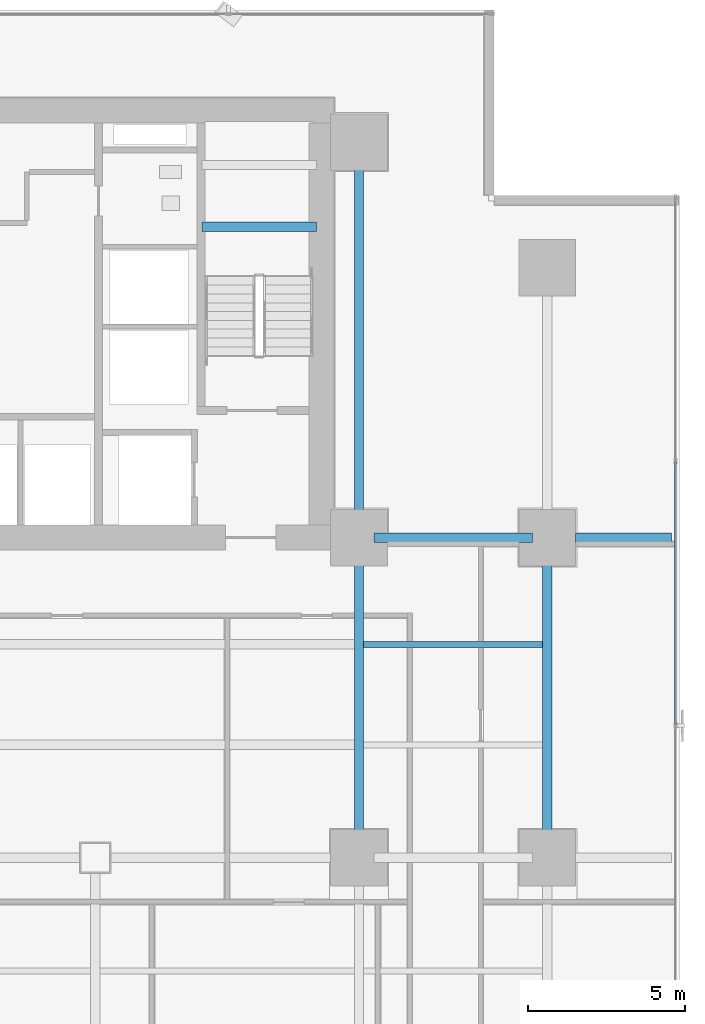
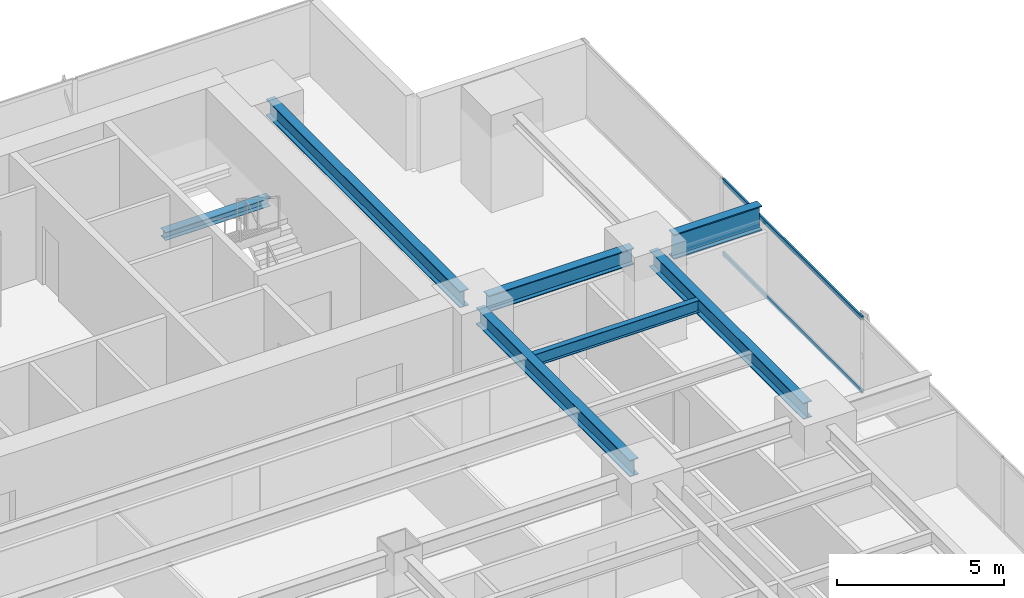
# One storey, part 19 of 32: 7 beams, 2 members, 1 element without a shape of its own.
"""IFC4 building model written with IfcOpenShell, lengths in metres."""

from ifc_helpers import new_model, si_unit, direction, frame, origin, origin_2d, place, context, subcontext, project, spatial, hollow_rectangle, i_section, extrude, source, transform, mapped, material, layer, layer_set, material_profile, profile_set, type_object, element, aggregate, save


model = new_model("IFC4")

# Units and contexts
model_context = context("Model", 3, precision=1e-05, world=origin(), true_north=direction((0.0, 1.0)))
body_context = subcontext(model_context, "Body", "Model", "MODEL_VIEW")
ifc_project = project(units=[si_unit("LENGTHUNIT", "METRE"), si_unit("AREAUNIT", "SQUARE_METRE"), si_unit("VOLUMEUNIT", "CUBIC_METRE"), si_unit("PLANEANGLEUNIT", "RADIAN"), si_unit("MASSUNIT", "GRAM", prefix="KILO")], contexts=[model_context])

# Site, building, storey
site_placement = place(None, origin())
site = spatial("IfcSite", under=ifc_project, at=site_placement, CompositionType="ELEMENT")
building_placement = place(site_placement, origin())
building = spatial("IfcBuilding", under=site, at=building_placement, Name="Sumidabori Civic Tower", CompositionType="ELEMENT")
storey_placement = place(building_placement, frame((0.0, 0.0, 45.199951171875)))
storey = spatial("IfcBuildingStorey", under=building, at=storey_placement, Name="L11", CompositionType="ELEMENT", Elevation=45.199951171875)

# Beams
ifc_material_1 = material(Name="Steel SN490", Category="steel")
ifc_material_profile_1 = material_profile(ifc_material_1, i_section(OverallWidth=0.300048828125, OverallDepth=0.300048828125, WebThickness=0.010986328125, FlangeThickness=0.01904296875, at=origin_2d()), Name="HE 300 B")
ifc_profile_set_1 = profile_set([ifc_material_profile_1], Name="Steel SN490")
beam_type_1 = type_object("IfcBeamType", Name="BM-LDG-300", PredefinedType="BEAM", material=ifc_profile_set_1)
shared_shape_1 = source(origin(), body_context, "Body", "SweptSolid", [
    extrude(i_section(OverallWidth=0.300048828125, OverallDepth=0.300048828125, WebThickness=0.010986328125, FlangeThickness=0.01904296875, at=origin_2d()), origin(), (0.0, 0.0, 1.0), 3.64990234375),
])
beam_1_placement = place(storey_placement, frame((11.800048828125, 20.09765625, 1.449951171875), z_axis=(1.0, 0.0, 0.0), x_axis=(0.0, 1.0, 0.0)))
element("IfcBeam", 1, at=beam_1_placement, inside=storey, type_object=beam_type_1, Name="Stair ST-2 Landing Support Beam L11-1A", PredefinedType="BEAM", context=body_context, shape_type="MappedRepresentation", body=[
    mapped(shared_shape_1, transform((0.0, 0.0, 0.0), x_axis=(1.0, 0.0, 0.0), y_axis=(0.0, 1.0, 0.0), z_axis=(0.0, 0.0, 1.0), scale=1.0)),
])
ifc_material_profile_2 = material_profile(ifc_material_1, i_section(OverallWidth=0.300048828125, OverallDepth=0.60009765625, WebThickness=0.015380859375, FlangeThickness=0.030029296875, at=origin_2d()), Name="HE 600 B")
ifc_profile_set_2 = profile_set([ifc_material_profile_2], Name="Steel SN490")
beam_type_2 = type_object("IfcBeamType", Name="BM-GIRD-600", PredefinedType="BEAM", material=ifc_profile_set_2)
shared_shape_2 = source(origin(), body_context, "Body", "SweptSolid", [
    extrude(i_section(OverallWidth=0.300048828125, OverallDepth=0.60009765625, WebThickness=0.015380859375, FlangeThickness=0.030029296875, at=origin_2d()), origin(), (0.0, 0.0, 1.0), 5.0400390625),
])
beam_2_placement = place(storey_placement, frame((17.280029296875, 10.199951171875, 3.06005859375), z_axis=(1.0, 0.0, 0.0), x_axis=(0.0, 1.0, 0.0)))
element("IfcBeam", 2, at=beam_2_placement, inside=storey, type_object=beam_type_2, Name="Primary Girder L11 GX-20", PredefinedType="BEAM", context=body_context, shape_type="MappedRepresentation", body=[
    mapped(shared_shape_2, transform((0.0, 0.0, 0.0), x_axis=(1.0, 0.0, 0.0), y_axis=(0.0, 1.0, 0.0), z_axis=(0.0, 0.0, 1.0), scale=1.0)),
])
shared_shape_3 = source(origin(), body_context, "Body", "SweptSolid", [
    extrude(i_section(OverallWidth=0.300048828125, OverallDepth=0.60009765625, WebThickness=0.015380859375, FlangeThickness=0.030029296875, at=origin_2d()), origin(), (0.0, 0.0, 1.0), 9.239990234375),
])
for number, where, z_axis, x_axis, name in (
    (3, (16.800048828125, 0.47998046875, 3.06005859375), (0.0, 1.0, 0.0), (-1.0, 0.0, 0.0), "Primary Girder L11 GY-37"),
    (4, (22.800048828125, 0.47998046875, 3.06005859375), (0.0, 1.0, 0.0), (-1.0, 0.0, 0.0), "Primary Girder L11 GY-41"),
):
    element("IfcBeam", number, at=place(storey_placement, frame(where, z_axis=z_axis, x_axis=x_axis)), inside=storey, type_object=beam_type_2, Name=name, PredefinedType="BEAM", context=body_context, shape_type="MappedRepresentation", body=[
        mapped(shared_shape_3, transform((0.0, 0.0, 0.0), x_axis=(1.0, 0.0, 0.0), y_axis=(0.0, 1.0, 0.0), z_axis=(0.0, 0.0, 1.0), scale=1.0)),
    ])
shared_shape_4 = source(origin(), body_context, "Body", "SweptSolid", [
    extrude(i_section(OverallWidth=0.300048828125, OverallDepth=0.60009765625, WebThickness=0.015380859375, FlangeThickness=0.030029296875, at=origin_2d()), origin(), (0.0, 0.0, 1.0), 11.64013671875),
])
beam_3_placement = place(storey_placement, frame((16.800048828125, 10.679931640625, 3.06005859375), z_axis=(0.0, 1.0, 0.0), x_axis=(-1.0, 0.0, 0.0)))
element("IfcBeam", 5, at=beam_3_placement, inside=storey, type_object=beam_type_2, Name="Primary Girder L11 GY-38", PredefinedType="BEAM", context=body_context, shape_type="MappedRepresentation", body=[
    mapped(shared_shape_4, transform((0.0, 0.0, 0.0), x_axis=(1.0, 0.0, 0.0), y_axis=(0.0, 1.0, 0.0), z_axis=(0.0, 0.0, 1.0), scale=1.0)),
])
ifc_material_profile_3 = material_profile(ifc_material_1, i_section(OverallWidth=0.302001953125, OverallDepth=0.909912109375, WebThickness=0.02099609375, FlangeThickness=0.0400390625, at=origin_2d()), Name="HE 900 M")
ifc_profile_set_3 = profile_set([ifc_material_profile_3], Name="Steel SN490")
beam_type_3 = type_object("IfcBeamType", Name="BM-Z1-EDGE", PredefinedType="SPANDREL", material=ifc_profile_set_3)
shared_shape_5 = source(origin(), body_context, "Body", "SweptSolid", [
    extrude(i_section(OverallWidth=0.302001953125, OverallDepth=0.909912109375, WebThickness=0.02099609375, FlangeThickness=0.0400390625, at=origin_2d()), origin(), (0.0, 0.0, 1.0), 3.050048828125),
])
beam_4_placement = place(storey_placement, frame((23.699951171875, 10.199951171875, 2.905029296875), z_axis=(1.0, 0.0, 0.0), x_axis=(0.0, 1.0, 0.0)))
element("IfcBeam", 6, at=beam_4_placement, inside=storey, type_object=beam_type_3, Name="Perimeter Overhang Beam L11 E-47", PredefinedType="SPANDREL", context=body_context, shape_type="MappedRepresentation", body=[
    mapped(shared_shape_5, transform((0.0, 0.0, 0.0), x_axis=(1.0, 0.0, 0.0), y_axis=(0.0, 1.0, 0.0), z_axis=(0.0, 0.0, 1.0), scale=1.0)),
])
ifc_material_profile_4 = material_profile(ifc_material_1, i_section(OverallWidth=0.18994140625, OverallDepth=0.449951171875, WebThickness=0.009521484375, FlangeThickness=0.0146484375, at=origin_2d()), Name="IPE 450")
ifc_profile_set_4 = profile_set([ifc_material_profile_4], Name="Steel SN490")
beam_type_4 = type_object("IfcBeamType", Name="BM-JST-450", PredefinedType="JOIST", material=ifc_profile_set_4)
shared_shape_6 = source(origin(), body_context, "Body", "SweptSolid", [
    extrude(i_section(OverallWidth=0.18994140625, OverallDepth=0.449951171875, WebThickness=0.009521484375, FlangeThickness=0.0146484375, at=origin_2d()), origin(), (0.0, 0.0, 1.0), 5.699951171875),
])
beam_5_placement = place(storey_placement, frame((16.949951171875, 6.800048828125, 3.135009765625), z_axis=(1.0, 0.0, 0.0), x_axis=(0.0, 1.0, 0.0)))
element("IfcBeam", 7, at=beam_5_placement, inside=storey, type_object=beam_type_4, Name="Outer Bay Floor Joist L11 JSTO-56", PredefinedType="JOIST", context=body_context, shape_type="MappedRepresentation", body=[
    mapped(shared_shape_6, transform((0.0, 0.0, 0.0), x_axis=(1.0, 0.0, 0.0), y_axis=(0.0, 1.0, 0.0), z_axis=(0.0, 0.0, 1.0), scale=1.0)),
])

# Curtain wall, members
ifc_material_2 = material(Name="Anodised Bronze Aluminium AW-6063-T6", Category="aluminium")
ifc_layer = layer(ifc_material_2, 0.179931640625, Name="Anodised Bronze Aluminium AW-6063-T6")
ifc_layer_set = layer_set([ifc_layer], Name="Anodised Bronze Aluminium AW-6063-T6")
curtain_wall_type = type_object("IfcCurtainWallType", Name="CW-SYS-2", PredefinedType="NOTDEFINED", material=ifc_layer_set)
curtain_wall_placement = place(storey_placement, origin())
curtain_wall = element("IfcCurtainWall", 8, at=curtain_wall_placement, inside=storey, type_object=curtain_wall_type, Name="Curtain Wall CW:L11:R04", PredefinedType="NOTDEFINED")
ifc_material_profile_5 = material_profile(ifc_material_2, hollow_rectangle(XDim=0.06494140625, YDim=0.14990234375, WallThickness=0.0048828125, at=origin_2d()), Name="ALU TRANSOM 150x65")
ifc_profile_set_5 = profile_set([ifc_material_profile_5], Name="Anodised Bronze Aluminium AW-6063-T6")
member_type = type_object("IfcMemberType", Name="CW-TRN-150", PredefinedType="USERDEFINED", material=ifc_profile_set_5)
shared_shape_7 = source(origin(), body_context, "Body", "SweptSolid", [
    extrude(hollow_rectangle(XDim=0.06494140625, YDim=0.14990234375, WallThickness=0.0048828125, at=origin_2d()), origin(), (0.0, 0.0, 1.0), 8.35791015625),
])
member_1_placement = place(storey_placement, frame((26.8798828125, 4.2490234375, 0.032470703125), z_axis=(0.0, 1.0, 0.0), x_axis=(-1.0, 0.0, 0.0)))
member_1 = element("IfcMember", 9, at=member_1_placement, type_object=member_type, Name="CW-2 transom 4.1", ObjectType="TRANSOM", PredefinedType="USERDEFINED", context=body_context, shape_type="MappedRepresentation", body=[
    mapped(shared_shape_7, transform((0.0, 0.0, 0.0), x_axis=(1.0, 0.0, 0.0), y_axis=(0.0, 1.0, 0.0), z_axis=(0.0, 0.0, 1.0), scale=1.0)),
])
member_2_placement = place(storey_placement, frame((26.8798828125, 4.2490234375, 2.70751953125), z_axis=(0.0, 1.0, 0.0), x_axis=(-1.0, 0.0, 0.0)))
member_2 = element("IfcMember", 10, at=member_2_placement, type_object=member_type, Name="CW-2 transom 4.2", ObjectType="TRANSOM", PredefinedType="USERDEFINED", context=body_context, shape_type="MappedRepresentation", body=[
    mapped(shared_shape_7, transform((0.0, 0.0, 0.0), x_axis=(1.0, 0.0, 0.0), y_axis=(0.0, 1.0, 0.0), z_axis=(0.0, 0.0, 1.0), scale=1.0)),
])
aggregate(curtain_wall, [member_1, member_2])

save(model, "model.ifc")
